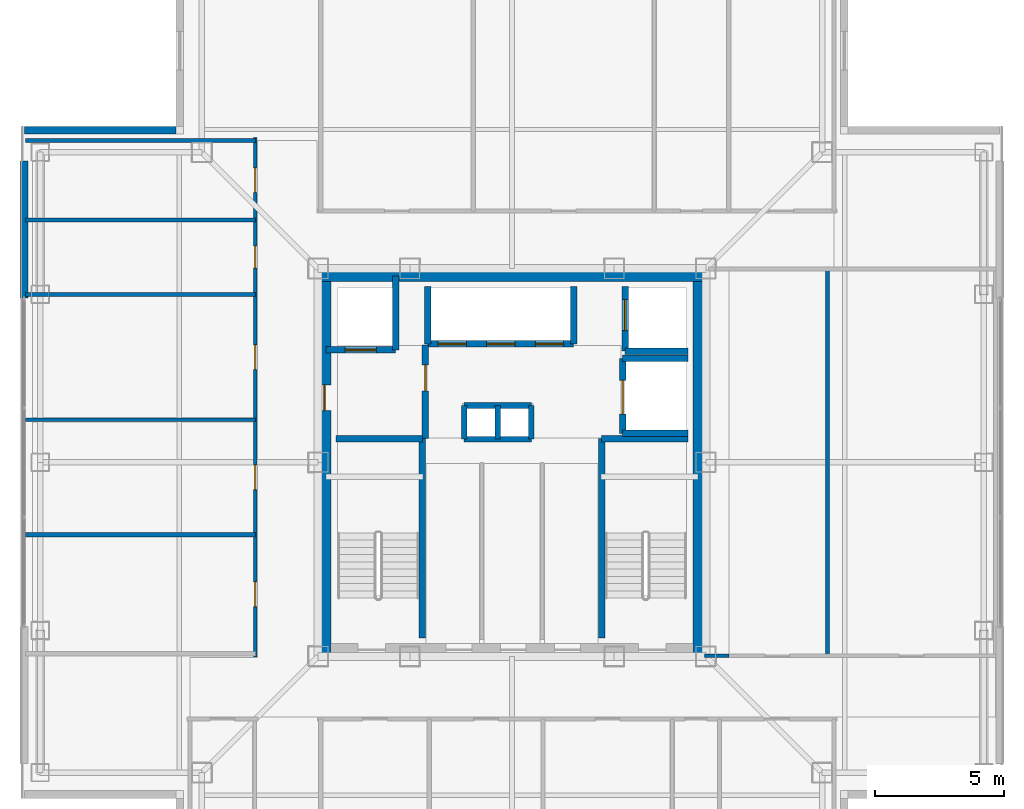
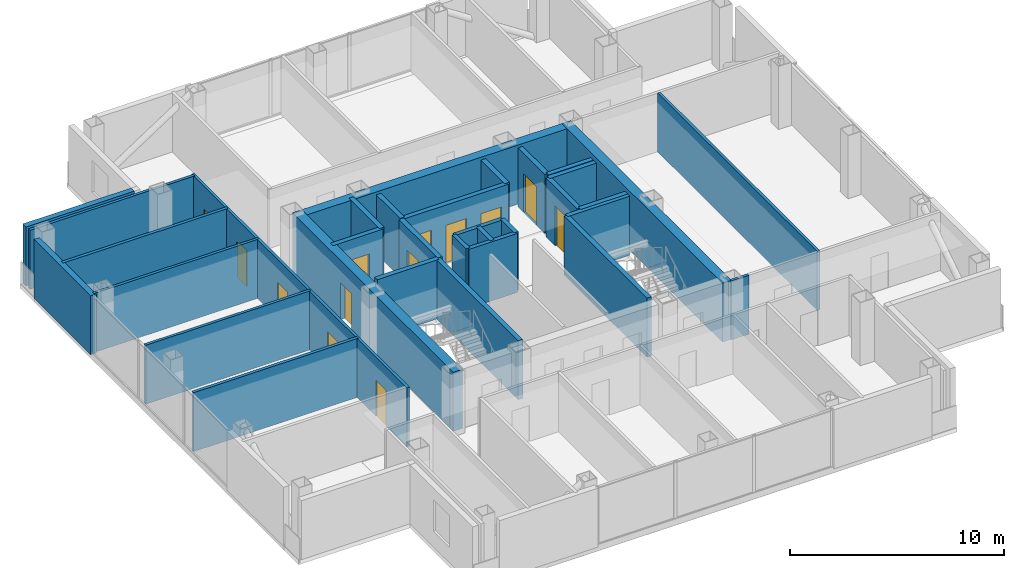
# One storey, part 9 of 16: 33 walls, 13 doors, 13 openings.
"""IFC4 building model written with IfcOpenShell, lengths in metres."""

from ifc_helpers import new_model, si_unit, direction, frame, frame_2d, origin, place, context, subcontext, project, spatial, rectangle, extrude, material, layer, layer_set, type_object, element, fill, save


model = new_model("IFC4")

# Units and contexts
model_context = context("Model", 3, precision=1e-05, world=origin(), true_north=direction((0.0, 1.0)))
body_context = subcontext(model_context, "Body", "Model", "MODEL_VIEW")
ifc_project = project(units=[si_unit("LENGTHUNIT", "METRE"), si_unit("AREAUNIT", "SQUARE_METRE"), si_unit("VOLUMEUNIT", "CUBIC_METRE"), si_unit("PLANEANGLEUNIT", "RADIAN"), si_unit("MASSUNIT", "GRAM", prefix="KILO")], contexts=[model_context])

# Site, building, storey
site_placement = place(None, origin())
site = spatial("IfcSite", under=ifc_project, at=site_placement, CompositionType="ELEMENT")
building_placement = place(site_placement, origin())
building = spatial("IfcBuilding", under=site, at=building_placement, Name="Trevonay Congress Spire", CompositionType="ELEMENT")
storey_placement = place(building_placement, frame((0.0, 0.0, 236.0)))
storey = spatial("IfcBuildingStorey", under=building, at=storey_placement, Name="L61", CompositionType="ELEMENT", Elevation=236.0)

# Wall
ifc_material_1 = material(Name="Concrete C50/60", Category="concrete")
ifc_layer_1 = layer(ifc_material_1, 0.5, Name="Concrete C50/60")
ifc_layer_set_1 = layer_set([ifc_layer_1], Name="Concrete C50/60")
wall_type_1 = type_object("IfcWallType", Name="WAL-CORE-500", PredefinedType="SHEAR", material=ifc_layer_set_1)
wall_1_placement = place(storey_placement, frame((-7.5, 7.25, 0.0), z_axis=(0.0, 0.0, 1.0), x_axis=(1.0, 0.0, 0.0)))
element("IfcWall", 1, at=wall_1_placement, inside=storey, type_object=wall_type_1, Name="L61 North structural core shear wall", PredefinedType="SHEAR", context=body_context, shape_type="SweptSolid", body=[
    extrude(rectangle(XDim=15.0, YDim=0.5, at=frame_2d((7.5, 0.0))), origin(), (0.0, 0.0, 1.0), 3.360107421875),
])

# Wall, opening, door
wall_2_placement = place(storey_placement, frame((-7.25, -7.5, 0.0), z_axis=(0.0, 0.0, 1.0), x_axis=(0.0, 1.0, 0.0)))
wall_2 = element("IfcWall", 2, at=wall_2_placement, inside=storey, type_object=wall_type_1, Name="L61 West structural core shear wall", PredefinedType="SHEAR", context=body_context, shape_type="SweptSolid", body=[
    extrude(rectangle(XDim=15.0, YDim=0.5, at=frame_2d((7.5, 0.0))), origin(), (0.0, 0.0, 1.0), 3.360107421875),
])
opening_1_placement = place(wall_2_placement, frame((9.5, 0.0, 0.0)))
opening_1 = element("IfcOpeningElement", 3, at=opening_1_placement, cuts=wall_2, Name="Opening D06", PredefinedType="OPENING", context=body_context, shape_type="SweptSolid", body=[
    extrude(rectangle(XDim=1.0, YDim=2.080078125, at=frame_2d((0.5, 1.0400390625))), frame((0.0, 0.260009765625, 0.0), z_axis=(0.0, -1.0, 0.0), x_axis=(1.0, 0.0, 0.0)), (0.0, 0.0, 1.0), 0.52001953125),
])
ifc_material_2 = material(Name="Steel ASTM A572 Grade 50", Category="steel")
door_type_1 = type_object("IfcDoorType", Name="DOR-FIRE-100", OperationType="NOTDEFINED", PredefinedType="DOOR", material=ifc_material_2)
door_1_placement = place(opening_1_placement, origin())
door_1 = element("IfcDoor", 4, at=door_1_placement, inside=storey, type_object=door_type_1, Name="L61 Firefighting Lift Lobby West Corridor Door", OperationType="SINGLE_SWING_LEFT", OverallHeight=2.080078125, OverallWidth=1.0, PredefinedType="DOOR", context=body_context, shape_type="SweptSolid", body=[
    extrude(rectangle(XDim=1.0, YDim=2.080078125, at=frame_2d((0.5, 1.0400390625))), frame((0.0, 0.02490234375, 0.0), z_axis=(0.0, -1.0, 0.0), x_axis=(1.0, 0.0, 0.0)), (0.0, 0.0, 1.0), 0.050048828125),
])
fill(opening_1, door_1)

# Wall
wall_3_placement = place(storey_placement, frame((7.25, -7.5, 0.0), z_axis=(0.0, 0.0, 1.0), x_axis=(0.0, 1.0, 0.0)))
element("IfcWall", 5, at=wall_3_placement, inside=storey, type_object=wall_type_1, Name="L61 East structural core shear wall", PredefinedType="SHEAR", context=body_context, shape_type="SweptSolid", body=[
    extrude(rectangle(XDim=15.0, YDim=0.5, at=frame_2d((7.5, 0.0))), origin(), (0.0, 0.0, 1.0), 3.360107421875),
])

# Wall, openings, doors
ifc_material_3 = material(Name="Concrete C40/50", Category="concrete")
ifc_layer_2 = layer(ifc_material_3, 0.14990234375, Name="Concrete C40/50")
ifc_layer_set_2 = layer_set([ifc_layer_2], Name="Concrete C40/50")
wall_type_2 = type_object("IfcWallType", Name="WAL-CORR-150", PredefinedType="PARTITIONING", material=ifc_layer_set_2)
wall_4_placement = place(storey_placement, frame((-9.929931640625, -7.52001953125, 0.0), z_axis=(0.0, 0.0, 1.0), x_axis=(0.0, 1.0, 0.0)))
wall_4 = element("IfcWall", 6, at=wall_4_placement, inside=storey, type_object=wall_type_2, Name="L61 interior wall WP-L61NW-COR", PredefinedType="PARTITIONING", context=body_context, shape_type="SweptSolid", body=[
    extrude(rectangle(XDim=20.090087890625, YDim=0.14990234375, at=frame_2d((10.044921875, 0.0))), origin(), (0.0, 0.0, 1.0), 3.360107421875),
])
opening_2_placement = place(wall_4_placement, frame((1.945068359375, 0.0, 0.0)))
opening_2 = element("IfcOpeningElement", 7, at=opening_2_placement, cuts=wall_4, Name="Opening D07", PredefinedType="OPENING", context=body_context, shape_type="SweptSolid", body=[
    extrude(rectangle(XDim=0.949951171875, YDim=2.06005859375, at=frame_2d((0.47509765625, 1.030029296875))), frame((0.0, 0.0849609375, 0.0), z_axis=(0.0, -1.0, 0.0), x_axis=(1.0, 0.0, 0.0)), (0.0, 0.0, 1.0), 0.169921875),
])
opening_3_placement = place(wall_4_placement, frame((6.469970703125, 0.0, 0.0)))
opening_3 = element("IfcOpeningElement", 8, at=opening_3_placement, cuts=wall_4, Name="Opening D07", PredefinedType="OPENING", context=body_context, shape_type="SweptSolid", body=[
    extrude(rectangle(XDim=0.949951171875, YDim=2.06005859375, at=frame_2d((0.47509765625, 1.030029296875))), frame((0.0, 0.0849609375, 0.0), z_axis=(0.0, -1.0, 0.0), x_axis=(1.0, 0.0, 0.0)), (0.0, 0.0, 1.0), 0.169921875),
])
opening_4_placement = place(wall_4_placement, frame((11.1201171875, 0.0, 0.0)))
opening_4 = element("IfcOpeningElement", 9, at=opening_4_placement, cuts=wall_4, Name="Opening D07", PredefinedType="OPENING", context=body_context, shape_type="SweptSolid", body=[
    extrude(rectangle(XDim=0.949951171875, YDim=2.06005859375, at=frame_2d((0.47509765625, 1.030029296875))), frame((0.0, 0.0849609375, 0.0), z_axis=(0.0, -1.0, 0.0), x_axis=(1.0, 0.0, 0.0)), (0.0, 0.0, 1.0), 0.169921875),
])
opening_5_placement = place(wall_4_placement, frame((15.034912109375, 0.0, 0.0)))
opening_5 = element("IfcOpeningElement", 10, at=opening_5_placement, cuts=wall_4, Name="Opening D10", PredefinedType="OPENING", context=body_context, shape_type="SweptSolid", body=[
    extrude(rectangle(XDim=0.85009765625, YDim=2.050048828125, at=frame_2d((0.425048828125, 1.02490234375))), frame((0.0, 0.0849609375, 0.0), z_axis=(0.0, -1.0, 0.0), x_axis=(1.0, 0.0, 0.0)), (0.0, 0.0, 1.0), 0.169921875),
])
opening_6_placement = place(wall_4_placement, frame((17.9599609375, 0.0, 0.0)))
opening_6 = element("IfcOpeningElement", 11, at=opening_6_placement, cuts=wall_4, Name="Opening D07", PredefinedType="OPENING", context=body_context, shape_type="SweptSolid", body=[
    extrude(rectangle(XDim=0.949951171875, YDim=2.06005859375, at=frame_2d((0.47509765625, 1.030029296875))), frame((0.0, 0.0849609375, 0.0), z_axis=(0.0, -1.0, 0.0), x_axis=(1.0, 0.0, 0.0)), (0.0, 0.0, 1.0), 0.169921875),
])
ifc_material_4 = material(Name="Pale Anodised Aluminium EN AW-6063-T6", Category="aluminium")
door_type_2 = type_object("IfcDoorType", Name="DOR-OFFICE-95", OperationType="NOTDEFINED", PredefinedType="DOOR", material=ifc_material_4)
door_2_placement = place(opening_2_placement, origin())
door_2 = element("IfcDoor", 12, at=door_2_placement, inside=storey, type_object=door_type_2, Name="L61 Cultural Attache Office Door", OperationType="SINGLE_SWING_RIGHT", OverallHeight=2.06005859375, OverallWidth=0.949951171875, PredefinedType="DOOR", context=body_context, shape_type="SweptSolid", body=[
    extrude(rectangle(XDim=0.949951171875, YDim=2.06005859375, at=frame_2d((0.47509765625, 1.030029296875))), frame((0.0, 0.02490234375, 0.0), z_axis=(0.0, -1.0, 0.0), x_axis=(1.0, 0.0, 0.0)), (0.0, 0.0, 1.0), 0.050048828125),
])
fill(opening_2, door_2)
door_3_placement = place(opening_3_placement, origin())
door_3 = element("IfcDoor", 13, at=door_3_placement, inside=storey, type_object=door_type_2, Name="L61 Press Attache Office Door", OperationType="SINGLE_SWING_LEFT", OverallHeight=2.06005859375, OverallWidth=0.949951171875, PredefinedType="DOOR", context=body_context, shape_type="SweptSolid", body=[
    extrude(rectangle(XDim=0.949951171875, YDim=2.06005859375, at=frame_2d((0.47509765625, 1.030029296875))), frame((0.0, 0.02490234375, 0.0), z_axis=(0.0, -1.0, 0.0), x_axis=(1.0, 0.0, 0.0)), (0.0, 0.0, 1.0), 0.050048828125),
])
fill(opening_3, door_3)
door_4_placement = place(opening_4_placement, origin())
door_4 = element("IfcDoor", 14, at=door_4_placement, inside=storey, type_object=door_type_2, Name="L61 Registry Cipher Office Door", OperationType="SINGLE_SWING_RIGHT", OverallHeight=2.06005859375, OverallWidth=0.949951171875, PredefinedType="DOOR", context=body_context, shape_type="SweptSolid", body=[
    extrude(rectangle(XDim=0.949951171875, YDim=2.06005859375, at=frame_2d((0.47509765625, 1.030029296875))), frame((0.0, 0.02490234375, 0.0), z_axis=(0.0, -1.0, 0.0), x_axis=(1.0, 0.0, 0.0)), (0.0, 0.0, 1.0), 0.050048828125),
])
fill(opening_4, door_4)
door_5_placement = place(opening_6_placement, origin())
door_5 = element("IfcDoor", 15, at=door_5_placement, inside=storey, type_object=door_type_2, Name="L61 Floor Supplies and Copy Room Door", OperationType="SINGLE_SWING_RIGHT", OverallHeight=2.06005859375, OverallWidth=0.949951171875, PredefinedType="DOOR", context=body_context, shape_type="SweptSolid", body=[
    extrude(rectangle(XDim=0.949951171875, YDim=2.06005859375, at=frame_2d((0.47509765625, 1.030029296875))), frame((0.0, 0.02490234375, 0.0), z_axis=(0.0, -1.0, 0.0), x_axis=(1.0, 0.0, 0.0)), (0.0, 0.0, 1.0), 0.050048828125),
])
fill(opening_6, door_5)
door_type_3 = type_object("IfcDoorType", Name="DOR-WC-85", OperationType="NOTDEFINED", PredefinedType="DOOR", material=ifc_material_4)
door_6_placement = place(opening_5_placement, origin())
door_6 = element("IfcDoor", 16, at=door_6_placement, inside=storey, type_object=door_type_3, Name="L61 Male Restroom WC Door", OperationType="SINGLE_SWING_LEFT", OverallHeight=2.050048828125, OverallWidth=0.85009765625, PredefinedType="DOOR", context=body_context, shape_type="SweptSolid", body=[
    extrude(rectangle(XDim=0.85009765625, YDim=2.050048828125, at=frame_2d((0.425048828125, 1.02490234375))), frame((0.0, 0.02490234375, 0.0), z_axis=(0.0, -1.0, 0.0), x_axis=(1.0, 0.0, 0.0)), (0.0, 0.0, 1.0), 0.050048828125),
])
fill(opening_5, door_6)

# Walls
wall_5_placement = place(storey_placement, frame((7.449951171875, -7.47998046875, 0.0), z_axis=(0.0, 0.0, 1.0), x_axis=(1.0, 0.0, 0.0)))
element("IfcWall", 17, at=wall_5_placement, inside=storey, type_object=wall_type_2, Name="L61 interior wall WP-L61E-STUB", PredefinedType="PARTITIONING", context=body_context, shape_type="SweptSolid", body=[
    extrude(rectangle(XDim=0.949951171875, YDim=0.14990234375, at=frame_2d((0.47509765625, 0.0))), origin(), (0.0, 0.0, 1.0), 3.360107421875),
])
ifc_material_5 = material(Name="Precast concrete C40/50", Category="concrete")
ifc_layer_3 = layer(ifc_material_5, 0.300048828125, Name="Precast concrete C40/50")
ifc_layer_set_3 = layer_set([ifc_layer_3], Name="Precast concrete C40/50")
wall_type_3 = type_object("IfcWallType", Name="WAL-EXT-PRECAST-300", PredefinedType="SOLIDWALL", material=ifc_layer_set_3)
wall_6_placement = place(storey_placement, frame((-18.8798828125, 6.35009765625, 0.0), z_axis=(0.0, 0.0, 1.0), x_axis=(0.0, 1.0, 0.0)))
element("IfcWall", 18, at=wall_6_placement, inside=storey, type_object=wall_type_3, Name="L61 WR braced-bay exterior pier wall", PredefinedType="SOLIDWALL", context=body_context, shape_type="SweptSolid", body=[
    extrude(rectangle(XDim=5.2998046875, YDim=0.300048828125, at=frame_2d((2.64990234375, 0.0))), origin(), (0.0, 0.0, 1.0), 3.360107421875),
])
wall_7_placement = place(storey_placement, frame((-18.85009765625, 12.85009765625, 0.0), z_axis=(0.0, 0.0, 1.0), x_axis=(1.0, 0.0, 0.0)))
element("IfcWall", 19, at=wall_7_placement, inside=storey, type_object=wall_type_3, Name="L61 NW re-entrant notch exterior wall 2", PredefinedType="SOLIDWALL", context=body_context, shape_type="SweptSolid", body=[
    extrude(rectangle(XDim=5.85009765625, YDim=0.300048828125, at=frame_2d((2.925048828125, 0.0))), origin(), (0.0, 0.0, 1.0), 3.360107421875),
])
ifc_layer_4 = layer(ifc_material_3, 0.14990234375, Name="Concrete C40/50")
ifc_layer_set_4 = layer_set([ifc_layer_4], Name="Concrete C40/50")
wall_type_4 = type_object("IfcWallType", Name="WAL-PART-150", PredefinedType="PARTITIONING", material=ifc_layer_set_4)
for number, where, z_axis, x_axis, name in (
    (20, (-18.820068359375, 1.64990234375, 0.0), (0.0, 0.0, 1.0), (1.0, 0.0, 0.0), "L61 interior wall WP-L61NW-DIV3"),
    (21, (-18.820068359375, 6.5, 0.0), (0.0, 0.0, 1.0), (1.0, 0.0, 0.0), "L61 interior wall WP-L61NW-DIV4"),
    (22, (-18.820068359375, 12.449951171875, 0.0), (0.0, 0.0, 1.0), (1.0, 0.0, 0.0), "L61 interior wall WP-L61NW-DIV5"),
):
    element("IfcWall", number, at=place(storey_placement, frame(where, z_axis=z_axis, x_axis=x_axis)), inside=storey, type_object=wall_type_4, Name=name, PredefinedType="PARTITIONING", context=body_context, shape_type="SweptSolid", body=[
        extrude(rectangle(XDim=8.89013671875, YDim=0.14990234375, at=frame_2d((4.445068359375, 0.0))), origin(), (0.0, 0.0, 1.0), 3.360107421875),
    ])
wall_8_placement = place(storey_placement, frame((12.199951171875, -7.47998046875, 0.0), z_axis=(0.0, 0.0, 1.0), x_axis=(0.0, 1.0, 0.0)))
element("IfcWall", 23, at=wall_8_placement, inside=storey, type_object=wall_type_4, Name="L61 interior wall WP-L61E-DIV1", PredefinedType="PARTITIONING", context=body_context, shape_type="SweptSolid", body=[
    extrude(rectangle(XDim=14.89990234375, YDim=0.14990234375, at=frame_2d((7.449951171875, 0.0))), origin(), (0.0, 0.0, 1.0), 3.360107421875),
])
ifc_layer_5 = layer(ifc_material_3, 0.219970703125, Name="Concrete C40/50")
ifc_layer_set_5 = layer_set([ifc_layer_5], Name="Concrete C40/50")
wall_type_5 = type_object("IfcWallType", Name="WAL-SHAFT-220", PredefinedType="PARTITIONING", material=ifc_layer_set_5)
for number, where, z_axis, x_axis, name in (
    (24, (-1.85009765625, 2.199951171875, 0.0), (0.0, 0.0, 1.0), (1.0, 0.0, 0.0), "L61 interior shaft wall WSH-L61-RSR-N"),
    (25, (-1.85009765625, 0.89990234375, 0.0), (0.0, 0.0, 1.0), (1.0, 0.0, 0.0), "L61 interior shaft wall WSH-L61-RSR-S"),
):
    element("IfcWall", number, at=place(storey_placement, frame(where, z_axis=z_axis, x_axis=x_axis)), inside=storey, type_object=wall_type_5, Name=name, PredefinedType="PARTITIONING", context=body_context, shape_type="SweptSolid", body=[
        extrude(rectangle(XDim=2.60009765625, YDim=0.219970703125, at=frame_2d((1.300048828125, 0.0))), origin(), (0.0, 0.0, 1.0), 3.360107421875),
    ])
for number, where, z_axis, x_axis, name in (
    (26, (-0.550048828125, 0.89990234375, 0.0), (0.0, 0.0, 1.0), (0.0, 1.0, 0.0), "L61 interior shaft wall WSH-L61-RSR-M"),
    (27, (0.75, 0.89990234375, 0.0), (0.0, 0.0, 1.0), (0.0, 1.0, 0.0), "L61 interior shaft wall WSH-L61-RSR-E"),
    (28, (-1.85009765625, 0.89990234375, 0.0), (0.0, 0.0, 1.0), (0.0, 1.0, 0.0), "L61 interior shaft wall WSH-L61-RSR-W"),
):
    element("IfcWall", number, at=place(storey_placement, frame(where, z_axis=z_axis, x_axis=x_axis)), inside=storey, type_object=wall_type_5, Name=name, PredefinedType="PARTITIONING", context=body_context, shape_type="SweptSolid", body=[
        extrude(rectangle(XDim=1.300048828125, YDim=0.219970703125, at=frame_2d((0.64990234375, 0.0))), origin(), (0.0, 0.0, 1.0), 3.360107421875),
    ])

# Wall, openings, doors
ifc_layer_6 = layer(ifc_material_3, 0.25, Name="Concrete C40/50")
ifc_layer_set_6 = layer_set([ifc_layer_6], Name="Concrete C40/50")
wall_type_6 = type_object("IfcWallType", Name="WAL-SHAFT-250", PredefinedType="SHEAR", material=ifc_layer_set_6)
wall_9_placement = place(storey_placement, frame((-3.260009765625, 4.580078125, 0.0), z_axis=(0.0, 0.0, 1.0), x_axis=(1.0, 0.0, 0.0)))
wall_9 = element("IfcWall", 29, at=wall_9_placement, inside=storey, type_object=wall_type_6, Name="L61 interior shaft wall WSH-L61-B3-S", PredefinedType="SHEAR", context=body_context, shape_type="SweptSolid", body=[
    extrude(rectangle(XDim=5.639892578125, YDim=0.25, at=frame_2d((2.81982421875, 0.0))), origin(), (0.0, 0.0, 1.0), 3.360107421875),
])
opening_7_placement = place(wall_9_placement, frame((0.39990234375, 0.0, 0.0)))
opening_7 = element("IfcOpeningElement", 30, at=opening_7_placement, cuts=wall_9, Name="Opening LD03", PredefinedType="OPENING", context=body_context, shape_type="SweptSolid", body=[
    extrude(rectangle(XDim=1.10009765625, YDim=2.199951171875, at=frame_2d((0.550048828125, 1.10009765625))), frame((0.0, 0.135009765625, 0.0), z_axis=(0.0, -1.0, 0.0), x_axis=(1.0, 0.0, 0.0)), (0.0, 0.0, 1.0), 0.27001953125),
])
opening_8_placement = place(wall_9_placement, frame((2.280029296875, 0.0, 0.0)))
opening_8 = element("IfcOpeningElement", 31, at=opening_8_placement, cuts=wall_9, Name="Opening LD03", PredefinedType="OPENING", context=body_context, shape_type="SweptSolid", body=[
    extrude(rectangle(XDim=1.10009765625, YDim=2.199951171875, at=frame_2d((0.550048828125, 1.10009765625))), frame((0.0, 0.135009765625, 0.0), z_axis=(0.0, -1.0, 0.0), x_axis=(1.0, 0.0, 0.0)), (0.0, 0.0, 1.0), 0.27001953125),
])
opening_9_placement = place(wall_9_placement, frame((4.159912109375, 0.0, 0.0)))
opening_9 = element("IfcOpeningElement", 32, at=opening_9_placement, cuts=wall_9, Name="Opening LD03", PredefinedType="OPENING", context=body_context, shape_type="SweptSolid", body=[
    extrude(rectangle(XDim=1.10009765625, YDim=2.199951171875, at=frame_2d((0.550048828125, 1.10009765625))), frame((0.0, 0.135009765625, 0.0), z_axis=(0.0, -1.0, 0.0), x_axis=(1.0, 0.0, 0.0)), (0.0, 0.0, 1.0), 0.27001953125),
])
door_type_4 = type_object("IfcDoorType", Name="DOR-LIFT-LD03", OperationType="DOUBLE_DOOR_SLIDING", PredefinedType="DOOR", material=ifc_material_4)
door_7_placement = place(opening_7_placement, origin())
door_7 = element("IfcDoor", 33, at=door_7_placement, inside=storey, type_object=door_type_4, Name="L61 Passenger lift PL-07 landing door", OperationType="DOUBLE_DOOR_SLIDING", OverallHeight=2.199951171875, OverallWidth=1.10009765625, PredefinedType="DOOR", context=body_context, shape_type="SweptSolid", body=[
    extrude(rectangle(XDim=1.10009765625, YDim=2.199951171875, at=frame_2d((0.550048828125, 1.10009765625))), frame((0.0, 0.02490234375, 0.0), z_axis=(0.0, -1.0, 0.0), x_axis=(1.0, 0.0, 0.0)), (0.0, 0.0, 1.0), 0.050048828125),
])
fill(opening_7, door_7)
door_8_placement = place(opening_8_placement, origin())
door_8 = element("IfcDoor", 34, at=door_8_placement, inside=storey, type_object=door_type_4, Name="L61 Passenger lift PL-08 landing door", OperationType="DOUBLE_DOOR_SLIDING", OverallHeight=2.199951171875, OverallWidth=1.10009765625, PredefinedType="DOOR", context=body_context, shape_type="SweptSolid", body=[
    extrude(rectangle(XDim=1.10009765625, YDim=2.199951171875, at=frame_2d((0.550048828125, 1.10009765625))), frame((0.0, 0.02490234375, 0.0), z_axis=(0.0, -1.0, 0.0), x_axis=(1.0, 0.0, 0.0)), (0.0, 0.0, 1.0), 0.050048828125),
])
fill(opening_8, door_8)
door_9_placement = place(opening_9_placement, origin())
door_9 = element("IfcDoor", 35, at=door_9_placement, inside=storey, type_object=door_type_4, Name="L61 Passenger lift PL-09 landing door", OperationType="DOUBLE_DOOR_SLIDING", OverallHeight=2.199951171875, OverallWidth=1.10009765625, PredefinedType="DOOR", context=body_context, shape_type="SweptSolid", body=[
    extrude(rectangle(XDim=1.10009765625, YDim=2.199951171875, at=frame_2d((0.550048828125, 1.10009765625))), frame((0.0, 0.02490234375, 0.0), z_axis=(0.0, -1.0, 0.0), x_axis=(1.0, 0.0, 0.0)), (0.0, 0.0, 1.0), 0.050048828125),
])
fill(opening_9, door_9)

# Walls
for number, where, z_axis, x_axis, name in (
    (36, (-3.260009765625, 4.580078125, 0.0), (0.0, 0.0, 1.0), (0.0, 1.0, 0.0), "L61 interior shaft wall WSH-L61-B3-W"),
    (37, (2.3798828125, 4.580078125, 0.0), (0.0, 0.0, 1.0), (0.0, 1.0, 0.0), "L61 interior shaft wall WSH-L61-B3-E"),
):
    element("IfcWall", number, at=place(storey_placement, frame(where, z_axis=z_axis, x_axis=x_axis)), inside=storey, type_object=wall_type_6, Name=name, PredefinedType="SHEAR", context=body_context, shape_type="SweptSolid", body=[
        extrude(rectangle(XDim=2.219970703125, YDim=0.25, at=frame_2d((1.10986328125, 0.0))), origin(), (0.0, 0.0, 1.0), 3.360107421875),
    ])

# Wall, opening, door
wall_10_placement = place(storey_placement, frame((-7.199951171875, 4.35009765625, 0.0), z_axis=(0.0, 0.0, 1.0), x_axis=(1.0, 0.0, 0.0)))
wall_10 = element("IfcWall", 38, at=wall_10_placement, inside=storey, type_object=wall_type_6, Name="L61 interior shaft wall WSH-L61-FF1-S", PredefinedType="SHEAR", context=body_context, shape_type="SweptSolid", body=[
    extrude(rectangle(XDim=2.699951171875, YDim=0.25, at=frame_2d((1.35009765625, 0.0))), origin(), (0.0, 0.0, 1.0), 3.360107421875),
])
opening_10_placement = place(wall_10_placement, frame((0.75, 0.0, 0.0)))
opening_10 = element("IfcOpeningElement", 39, at=opening_10_placement, cuts=wall_10, Name="Opening LD04", PredefinedType="OPENING", context=body_context, shape_type="SweptSolid", body=[
    extrude(rectangle(XDim=1.199951171875, YDim=2.199951171875, at=frame_2d((0.60009765625, 1.10009765625))), frame((0.0, 0.135009765625, 0.0), z_axis=(0.0, -1.0, 0.0), x_axis=(1.0, 0.0, 0.0)), (0.0, 0.0, 1.0), 0.27001953125),
])
door_type_5 = type_object("IfcDoorType", Name="DOR-LIFT-LD04", OperationType="DOUBLE_DOOR_SLIDING", PredefinedType="DOOR", material=ifc_material_2)
door_10_placement = place(opening_10_placement, origin())
door_10 = element("IfcDoor", 40, at=door_10_placement, inside=storey, type_object=door_type_5, Name="L61 Firefighting lift FFL-01 landing door", OperationType="DOUBLE_DOOR_SLIDING", OverallHeight=2.199951171875, OverallWidth=1.199951171875, PredefinedType="DOOR", context=body_context, shape_type="SweptSolid", body=[
    extrude(rectangle(XDim=1.199951171875, YDim=2.199951171875, at=frame_2d((0.60009765625, 1.10009765625))), frame((0.0, 0.02490234375, 0.0), z_axis=(0.0, -1.0, 0.0), x_axis=(1.0, 0.0, 0.0)), (0.0, 0.0, 1.0), 0.050048828125),
])
fill(opening_10, door_10)

# Walls
wall_11_placement = place(storey_placement, frame((-4.5, 4.35009765625, 0.0), z_axis=(0.0, 0.0, 1.0), x_axis=(0.0, 1.0, 0.0)))
element("IfcWall", 41, at=wall_11_placement, inside=storey, type_object=wall_type_6, Name="L61 interior shaft wall WSH-L61-FF1-E", PredefinedType="SHEAR", context=body_context, shape_type="SweptSolid", body=[
    extrude(rectangle(XDim=2.849853515625, YDim=0.25, at=frame_2d((1.4248046875, 0.0))), origin(), (0.0, 0.0, 1.0), 3.360107421875),
])
wall_12_placement = place(storey_placement, frame((4.3798828125, 4.300048828125, 0.0), z_axis=(0.0, 0.0, 1.0), x_axis=(1.0, 0.0, 0.0)))
element("IfcWall", 42, at=wall_12_placement, inside=storey, type_object=wall_type_6, Name="L61 interior shaft wall WSH-L61-FF2-S", PredefinedType="SHEAR", context=body_context, shape_type="SweptSolid", body=[
    extrude(rectangle(XDim=2.420166015625, YDim=0.25, at=frame_2d((1.2099609375, 0.0))), origin(), (0.0, 0.0, 1.0), 3.360107421875),
])

# Wall, opening, door
wall_13_placement = place(storey_placement, frame((4.3798828125, 4.300048828125, 0.0), z_axis=(0.0, 0.0, 1.0), x_axis=(0.0, 1.0, 0.0)))
wall_13 = element("IfcWall", 43, at=wall_13_placement, inside=storey, type_object=wall_type_6, Name="L61 interior shaft wall WSH-L61-FF2-W", PredefinedType="SHEAR", context=body_context, shape_type="SweptSolid", body=[
    extrude(rectangle(XDim=2.5, YDim=0.25, at=frame_2d((1.25, 0.0))), origin(), (0.0, 0.0, 1.0), 3.360107421875),
])
opening_11_placement = place(wall_13_placement, frame((0.800048828125, 0.0, 0.0)))
opening_11 = element("IfcOpeningElement", 44, at=opening_11_placement, cuts=wall_13, Name="Opening LD04", PredefinedType="OPENING", context=body_context, shape_type="SweptSolid", body=[
    extrude(rectangle(XDim=1.199951171875, YDim=2.199951171875, at=frame_2d((0.60009765625, 1.10009765625))), frame((0.0, 0.135009765625, 0.0), z_axis=(0.0, -1.0, 0.0), x_axis=(1.0, 0.0, 0.0)), (0.0, 0.0, 1.0), 0.27001953125),
])
door_11_placement = place(opening_11_placement, origin())
door_11 = element("IfcDoor", 45, at=door_11_placement, inside=storey, type_object=door_type_5, Name="L61 Firefighting lift FFL-02 landing door", OperationType="DOUBLE_DOOR_SLIDING", OverallHeight=2.199951171875, OverallWidth=1.199951171875, PredefinedType="DOOR", context=body_context, shape_type="SweptSolid", body=[
    extrude(rectangle(XDim=1.199951171875, YDim=2.199951171875, at=frame_2d((0.60009765625, 1.10009765625))), frame((0.0, 0.02490234375, 0.0), z_axis=(0.0, -1.0, 0.0), x_axis=(1.0, 0.0, 0.0)), (0.0, 0.0, 1.0), 0.050048828125),
])
fill(opening_11, door_11)

wall_14_placement = place(storey_placement, frame((4.280029296875, 1.1201171875, 0.0), z_axis=(0.0, 0.0, 1.0), x_axis=(0.0, 1.0, 0.0)))
wall_14 = element("IfcWall", 46, at=wall_14_placement, inside=storey, type_object=wall_type_6, Name="L61 interior shaft wall WSH-L61-SV-W", PredefinedType="SHEAR", context=body_context, shape_type="SweptSolid", body=[
    extrude(rectangle(XDim=2.89990234375, YDim=0.25, at=frame_2d((1.449951171875, 0.0))), origin(), (0.0, 0.0, 1.0), 3.360107421875),
])
opening_12_placement = place(wall_14_placement, frame((0.75, 0.0, 0.0)))
opening_12 = element("IfcOpeningElement", 47, at=opening_12_placement, cuts=wall_14, Name="Opening LD05", PredefinedType="OPENING", context=body_context, shape_type="SweptSolid", body=[
    extrude(rectangle(XDim=1.300048828125, YDim=2.300048828125, at=frame_2d((0.64990234375, 1.14990234375))), frame((0.0, 0.135009765625, 0.0), z_axis=(0.0, -1.0, 0.0), x_axis=(1.0, 0.0, 0.0)), (0.0, 0.0, 1.0), 0.27001953125),
])
door_type_6 = type_object("IfcDoorType", Name="DOR-LIFT-LD05", OperationType="DOUBLE_DOOR_SLIDING", PredefinedType="DOOR", material=ifc_material_2)
door_12_placement = place(opening_12_placement, origin())
door_12 = element("IfcDoor", 48, at=door_12_placement, inside=storey, type_object=door_type_6, Name="L61 Goods lift SVL-01 landing door", OperationType="DOUBLE_DOOR_SLIDING", OverallHeight=2.300048828125, OverallWidth=1.300048828125, PredefinedType="DOOR", context=body_context, shape_type="SweptSolid", body=[
    extrude(rectangle(XDim=1.300048828125, YDim=2.300048828125, at=frame_2d((0.64990234375, 1.14990234375))), frame((0.0, 0.02490234375, 0.0), z_axis=(0.0, -1.0, 0.0), x_axis=(1.0, 0.0, 0.0)), (0.0, 0.0, 1.0), 0.050048828125),
])
fill(opening_12, door_12)

# Walls
for number, where, z_axis, x_axis, name in (
    (49, (4.280029296875, 1.1201171875, 0.0), (0.0, 0.0, 1.0), (1.0, 0.0, 0.0), "L61 interior shaft wall WSH-L61-SV-S"),
    (50, (4.280029296875, 4.02001953125, 0.0), (0.0, 0.0, 1.0), (1.0, 0.0, 0.0), "L61 interior shaft wall WSH-L61-SV-N"),
):
    element("IfcWall", number, at=place(storey_placement, frame(where, z_axis=z_axis, x_axis=x_axis)), inside=storey, type_object=wall_type_6, Name=name, PredefinedType="SHEAR", context=body_context, shape_type="SweptSolid", body=[
        extrude(rectangle(XDim=2.52001953125, YDim=0.25, at=frame_2d((1.260009765625, 0.0))), origin(), (0.0, 0.0, 1.0), 3.360107421875),
    ])

# Wall, opening, door
wall_15_placement = place(storey_placement, frame((-3.35009765625, 0.919921875, 0.0), z_axis=(0.0, 0.0, 1.0), x_axis=(0.0, 1.0, 0.0)))
wall_15 = element("IfcWall", 51, at=wall_15_placement, inside=storey, type_object=wall_type_6, Name="L61 interior wall CW-FFLW-E-L61", PredefinedType="SHEAR", context=body_context, shape_type="SweptSolid", body=[
    extrude(rectangle(XDim=3.6201171875, YDim=0.25, at=frame_2d((1.81005859375, 0.0))), origin(), (0.0, 0.0, 1.0), 3.360107421875),
])
opening_13_placement = place(wall_15_placement, frame((1.85009765625, 0.0, 0.0)))
opening_13 = element("IfcOpeningElement", 52, at=opening_13_placement, cuts=wall_15, Name="Opening D06", PredefinedType="OPENING", context=body_context, shape_type="SweptSolid", body=[
    extrude(rectangle(XDim=1.0, YDim=2.080078125, at=frame_2d((0.5, 1.0400390625))), frame((0.0, 0.135009765625, 0.0), z_axis=(0.0, -1.0, 0.0), x_axis=(1.0, 0.0, 0.0)), (0.0, 0.0, 1.0), 0.27001953125),
])
door_13_placement = place(opening_13_placement, origin())
door_13 = element("IfcDoor", 53, at=door_13_placement, inside=storey, type_object=door_type_1, Name="L61 Firefighting Core Lobby Transfer Door", OperationType="SINGLE_SWING_LEFT", OverallHeight=2.080078125, OverallWidth=1.0, PredefinedType="DOOR", context=body_context, shape_type="SweptSolid", body=[
    extrude(rectangle(XDim=1.0, YDim=2.080078125, at=frame_2d((0.5, 1.0400390625))), frame((0.0, 0.02490234375, 0.0), z_axis=(0.0, -1.0, 0.0), x_axis=(1.0, 0.0, 0.0)), (0.0, 0.0, 1.0), 0.050048828125),
])
fill(opening_13, door_13)

# Walls
ifc_layer_7 = layer(ifc_material_3, 0.25, Name="Concrete C40/50")
ifc_layer_set_7 = layer_set([ifc_layer_7], Name="Concrete C40/50")
wall_type_7 = type_object("IfcWallType", Name="WAL-SHAFT-LB-250", PredefinedType="SHEAR", material=ifc_layer_set_7)
wall_16_placement = place(storey_placement, frame((-3.469970703125, -6.800048828125, 0.0), z_axis=(0.0, 0.0, 1.0), x_axis=(0.0, 1.0, 0.0)))
element("IfcWall", 54, at=wall_16_placement, inside=storey, type_object=wall_type_7, Name="L61 interior shaft wall WSH-L61-ST1-E", PredefinedType="SHEAR", context=body_context, shape_type="SweptSolid", body=[
    extrude(rectangle(XDim=7.719970703125, YDim=0.25, at=frame_2d((3.85986328125, 0.0))), origin(), (0.0, 0.0, 1.0), 3.360107421875),
])
wall_17_placement = place(storey_placement, frame((-6.800048828125, 0.919921875, 0.0), z_axis=(0.0, 0.0, 1.0), x_axis=(1.0, 0.0, 0.0)))
element("IfcWall", 55, at=wall_17_placement, inside=storey, type_object=wall_type_7, Name="L61 interior shaft wall WSH-L61-ST1-N", PredefinedType="SHEAR", context=body_context, shape_type="SweptSolid", body=[
    extrude(rectangle(XDim=3.330078125, YDim=0.25, at=frame_2d((1.6650390625, 0.0))), origin(), (0.0, 0.0, 1.0), 3.360107421875),
])
wall_18_placement = place(storey_placement, frame((3.469970703125, -6.800048828125, 0.0), z_axis=(0.0, 0.0, 1.0), x_axis=(0.0, 1.0, 0.0)))
element("IfcWall", 56, at=wall_18_placement, inside=storey, type_object=wall_type_7, Name="L61 interior shaft wall WSH-L61-ST2-W", PredefinedType="SHEAR", context=body_context, shape_type="SweptSolid", body=[
    extrude(rectangle(XDim=7.719970703125, YDim=0.25, at=frame_2d((3.85986328125, 0.0))), origin(), (0.0, 0.0, 1.0), 3.360107421875),
])
wall_19_placement = place(storey_placement, frame((3.469970703125, 0.919921875, 0.0), z_axis=(0.0, 0.0, 1.0), x_axis=(1.0, 0.0, 0.0)))
element("IfcWall", 57, at=wall_19_placement, inside=storey, type_object=wall_type_7, Name="L61 interior shaft wall WSH-L61-ST2-N", PredefinedType="SHEAR", context=body_context, shape_type="SweptSolid", body=[
    extrude(rectangle(XDim=3.330078125, YDim=0.25, at=frame_2d((1.6650390625, 0.0))), origin(), (0.0, 0.0, 1.0), 3.360107421875),
])
ifc_layer_8 = layer(ifc_material_3, 0.1650390625, Name="Concrete C40/50")
ifc_layer_set_8 = layer_set([ifc_layer_8], Name="Concrete C40/50")
wall_type_8 = type_object("IfcWallType", Name="WAL-WET-165", PredefinedType="PLUMBINGWALL", material=ifc_layer_set_8)
for number, where, z_axis, x_axis, name in (
    (58, (-18.820068359375, 9.3798828125, 0.0), (0.0, 0.0, 1.0), (1.0, 0.0, 0.0), "L61 interior wall WP-L61NW-WCS4"),
    (59, (-18.820068359375, -2.800048828125, 0.0), (0.0, 0.0, 1.0), (1.0, 0.0, 0.0), "L61 interior wall WP-L61NW-DIV2"),
):
    element("IfcWall", number, at=place(storey_placement, frame(where, z_axis=z_axis, x_axis=x_axis)), inside=storey, type_object=wall_type_8, Name=name, PredefinedType="PLUMBINGWALL", context=body_context, shape_type="SweptSolid", body=[
        extrude(rectangle(XDim=8.89013671875, YDim=0.1650390625, at=frame_2d((4.445068359375, 0.0))), origin(), (0.0, 0.0, 1.0), 3.360107421875),
    ])

save(model, "model.ifc")
